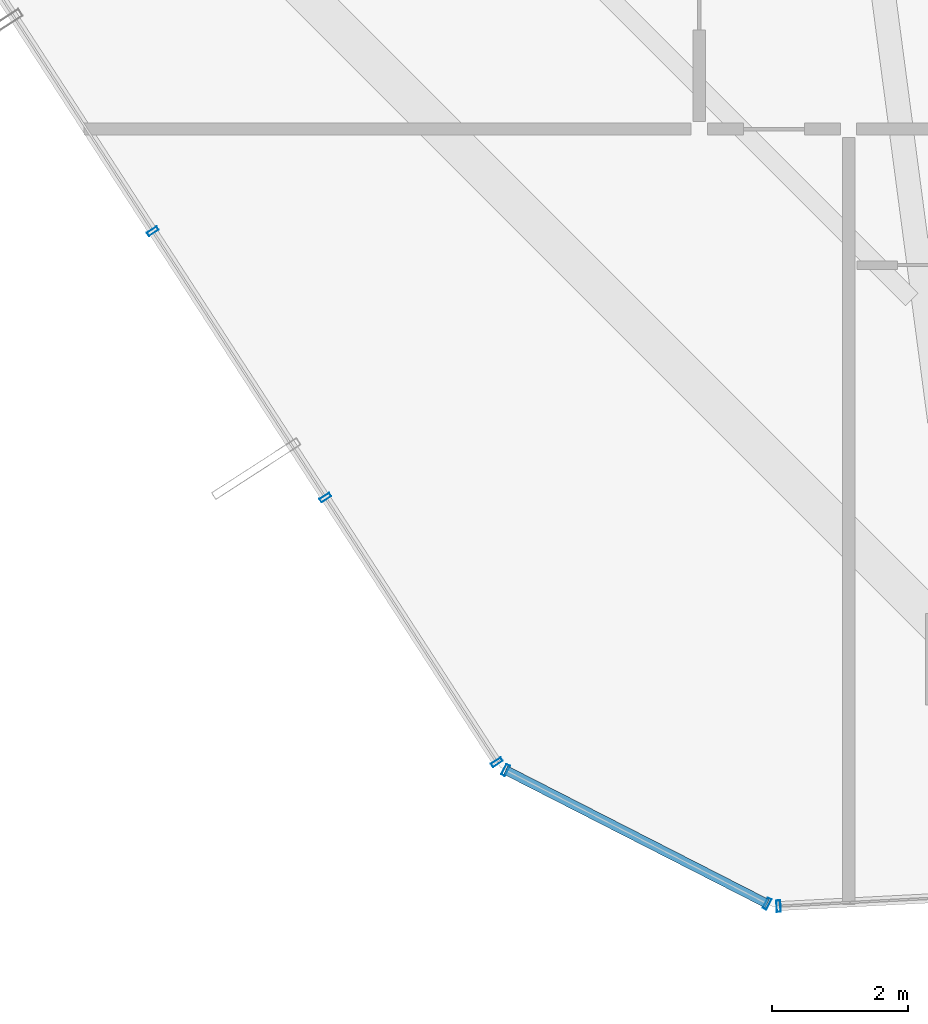
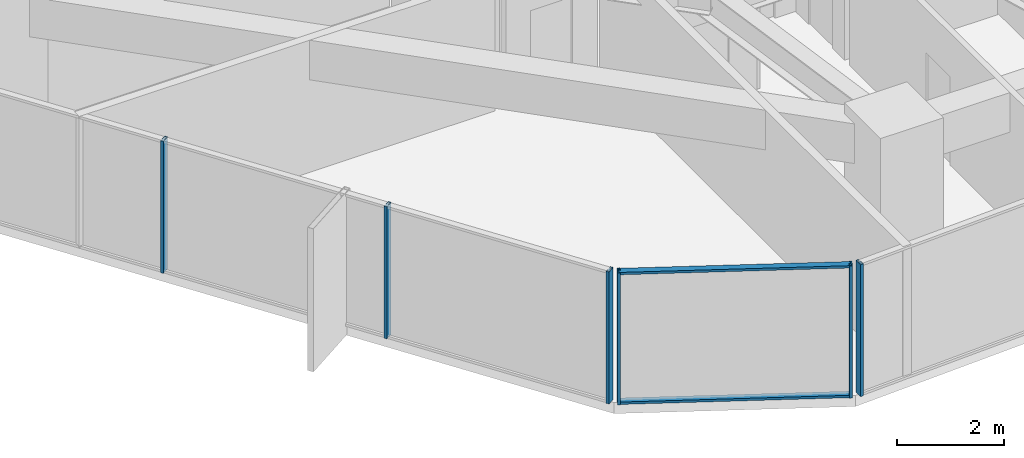
# One storey, part 2 of 37: 8 members, 3 elements without a shape of their own.
"""IFC4 building model written with IfcOpenShell, lengths in metres."""

import ifcopenshell
import ifcopenshell.guid

model = None  # the IFC model being written
_history = None  # IfcOwnerHistory: only IFC2X3 demands one
_inside = {}  # id of a spatial element -> (the spatial element, [elements in it])
_under = {}  # id of a project, library or spatial element -> (it, [spatial elements below it])
_declared = {}  # id of a project -> (the project, [libraries it declares])
_typed = {}  # id of a type object -> (the type object, [elements of that type])
_made_of = {}  # id of a material, layer set ... -> (it, [elements and type objects made of it])


def new_model(schema):
    """Start an empty IFC model of exactly this schema.

    Asked for "IFC4X3", IfcOpenShell would pick the latest addendum, in which some entities
    have other attributes; the version numbers below select the first issue.
    IFC2X3 requires an IfcOwnerHistory on every rooted entity: one is made here for all.
    """
    global model, _history
    if schema == "IFC4X3":
        model = ifcopenshell.file(schema_version=(4, 3, 0, 0))
    else:
        model = ifcopenshell.file(schema=schema)
    _inside.clear()
    _under.clear()
    _declared.clear()
    _typed.clear()
    _made_of.clear()
    _history = None
    if model.schema == "IFC2X3":
        org = make("IfcOrganization", Name="unknown")
        user = make(
            "IfcPersonAndOrganization",
            ThePerson=make("IfcPerson", FamilyName="unknown"),
            TheOrganization=org,
        )
        app = make(
            "IfcApplication",
            ApplicationDeveloper=org,
            Version="unknown",
            ApplicationFullName="unknown",
            ApplicationIdentifier="unknown",
        )
        _history = make(
            "IfcOwnerHistory",
            OwningUser=user,
            OwningApplication=app,
            ChangeAction="ADDED",
            CreationDate=0,
        )
    return model


def make(cls, **values):
    """One entity of the class cls with the attributes given. An attribute that is None is left unset."""
    return model.create_entity(
        cls, **{name: value for name, value in values.items() if value is not None}
    )


def rooted(cls, **values):
    """An entity with a GlobalId (a new one), such as an element, a storey or a relation."""
    return make(cls, GlobalId=ifcopenshell.guid.new(), OwnerHistory=_history, **values)


def si_unit(unit_type, name, prefix=None):
    """IfcSIUnit, for example si_unit("LENGTHUNIT", "METRE", prefix="MILLI")."""
    return make("IfcSIUnit", UnitType=unit_type, Prefix=prefix, Name=name)


def assignment(units):
    """IfcUnitAssignment: the units of a project."""
    return None if units is None else make("IfcUnitAssignment", Units=units)


def point(xyz):
    """IfcCartesianPoint."""
    return None if xyz is None else make("IfcCartesianPoint", Coordinates=xyz)


def direction(xyz):
    """IfcDirection."""
    return None if xyz is None else make("IfcDirection", DirectionRatios=xyz)


def frame(location, z_axis=None, x_axis=None):
    """IfcAxis2Placement3D, a coordinate frame: its origin and axes. An axis left out is left unset."""
    return make(
        "IfcAxis2Placement3D",
        Location=point(location),
        Axis=direction(z_axis),
        RefDirection=direction(x_axis),
    )


def frame_2d(location, x_axis=None):
    """IfcAxis2Placement2D, a coordinate frame in the plane: its origin and x axis."""
    return make(
        "IfcAxis2Placement2D", Location=point(location), RefDirection=direction(x_axis)
    )


def origin():
    """The frame at (0, 0, 0) with its axes left unset."""
    return frame((0.0, 0.0, 0.0))


def origin_2d():
    """The frame at (0, 0) in the plane with its x axis left unset."""
    return frame_2d((0.0, 0.0))


def place(relative_to, where):
    """IfcLocalPlacement: puts the frame where relative to a parent placement (None: the world)."""
    return make(
        "IfcLocalPlacement", PlacementRelTo=relative_to, RelativePlacement=where
    )


def context(
    kind, dimensions, precision=None, world=None, true_north=None, identifier=None
):
    """IfcGeometricRepresentationContext, for example the 3D "Model" context."""
    return make(
        "IfcGeometricRepresentationContext",
        ContextIdentifier=identifier,
        ContextType=kind,
        CoordinateSpaceDimension=dimensions,
        Precision=precision,
        WorldCoordinateSystem=world,
        TrueNorth=true_north,
    )


def subcontext(parent, identifier, kind, view, scale=None):
    """IfcGeometricRepresentationSubContext, for example "Body" below "Model"."""
    return make(
        "IfcGeometricRepresentationSubContext",
        ContextIdentifier=identifier,
        ContextType=kind,
        ParentContext=parent,
        TargetScale=scale,
        TargetView=view,
    )


def project(units=None, contexts=None):
    """IfcProject with its units and contexts."""
    return rooted(
        "IfcProject",
        Name="project",
        RepresentationContexts=contexts,
        UnitsInContext=assignment(units),
    )


def spatial(cls, under=None, at=None, **own):
    """A site, building, storey or space (cls), placed at a placement, below another one or the project."""
    s = rooted(cls, ObjectPlacement=at, **own)
    if under is not None:
        _under.setdefault(under.id(), (under, []))[1].append(s)
    return s


def profile(cls, at=None, kind="AREA", **sizes):
    """A parametric profile (cls). Its sizes go by their IFC names, for example OverallWidth=200.0."""
    return make(cls, ProfileType=kind, Position=at, **sizes)


def hollow_rectangle(**sizes):
    """IfcRectangleHollowProfileDef."""
    return profile("IfcRectangleHollowProfileDef", **sizes)


def extrude(swept, where, along, depth):
    """IfcExtrudedAreaSolid: the profile swept, set in the frame where, extruded along a direction by depth."""
    return make(
        "IfcExtrudedAreaSolid",
        SweptArea=swept,
        Position=where,
        ExtrudedDirection=direction(along),
        Depth=depth,
    )


def shape(context_of_items, identifier, shape_type, items):
    """IfcShapeRepresentation: the items that make up one representation, for example the "Body"."""
    return make(
        "IfcShapeRepresentation",
        ContextOfItems=context_of_items,
        RepresentationIdentifier=identifier,
        RepresentationType=shape_type,
        Items=items,
    )


def source(mapping_origin, context_of_items, identifier, shape_type, items):
    """IfcRepresentationMap: a shape defined once, which mapped items show again and again."""
    return make(
        "IfcRepresentationMap",
        MappingOrigin=mapping_origin,
        MappedRepresentation=shape(context_of_items, identifier, shape_type, items),
    )


def transform(
    local_origin,
    x_axis=None,
    y_axis=None,
    z_axis=None,
    scale=None,
    scale2=None,
    scale3=None,
    uniform=True,
):
    """IfcCartesianTransformationOperator3D, or its non-uniform kind. x_axis, y_axis, z_axis: its Axis1, 2, 3."""
    if uniform:
        return make(
            "IfcCartesianTransformationOperator3D",
            Axis1=direction(x_axis),
            Axis2=direction(y_axis),
            LocalOrigin=point(local_origin),
            Scale=scale,
            Axis3=direction(z_axis),
        )
    return make(
        "IfcCartesianTransformationOperator3DnonUniform",
        Axis1=direction(x_axis),
        Axis2=direction(y_axis),
        LocalOrigin=point(local_origin),
        Scale=scale,
        Axis3=direction(z_axis),
        Scale2=scale2,
        Scale3=scale3,
    )


def mapped(mapping_source, mapping_target):
    """IfcMappedItem: shows the shape of a source again, moved by a transform."""
    return make(
        "IfcMappedItem", MappingSource=mapping_source, MappingTarget=mapping_target
    )


def material(Name=None, Category=None):
    """IfcMaterial."""
    return make("IfcMaterial", Name=Name, Category=Category)


def layer(
    of_material, thickness, ventilated=None, Name=None, Category=None, Priority=None
):
    """IfcMaterialLayer: one layer of a wall or slab, of a material (None: an air gap)."""
    return make(
        "IfcMaterialLayer",
        Material=of_material,
        LayerThickness=thickness,
        IsVentilated=ventilated,
        Name=Name,
        Category=Category,
        Priority=Priority,
    )


def layer_set(layers, Name=None):
    """IfcMaterialLayerSet."""
    return make("IfcMaterialLayerSet", MaterialLayers=layers, LayerSetName=Name)


def material_profile(
    of_material, cross_section, Name=None, Category=None, Priority=None
):
    """IfcMaterialProfile: a cross section and its material."""
    return make(
        "IfcMaterialProfile",
        Name=Name,
        Material=of_material,
        Profile=cross_section,
        Priority=Priority,
        Category=Category,
    )


def profile_set(profiles, Name=None, composite=None):
    """IfcMaterialProfileSet."""
    return make(
        "IfcMaterialProfileSet",
        Name=Name,
        MaterialProfiles=profiles,
        CompositeProfile=composite,
    )


def made_of(thing, what):
    """Note that an element or type object is made of a material, layer set ...; save() writes the relation."""
    if what is not None:
        _made_of.setdefault(what.id(), (what, []))[1].append(thing)
    return thing


def type_object(cls, material=None, **own):
    """A type object (cls), such as IfcWallType, which elements share."""
    return made_of(rooted(cls, **own), material)


def element(
    cls,
    number,
    at=None,
    inside=None,
    cuts=None,
    type_object=None,
    material=None,
    context=None,
    identifier="Body",
    shape_type=None,
    held_by="IfcProductDefinitionShape",
    body=None,
    shapes=None,
    **own,
):
    """One element of the class cls, such as IfcWall. Its Tag is "e" and its number.

    at: its placement. inside: the storey or other place that contains it. cuts: it is an
    opening in that element (IfcRelVoidsElement). A single representation is given by context,
    identifier, shape_type and body (its items); several are given by shapes. held_by: the class
    of the entity that holds the representations. save() writes the other relations.
    """
    e = rooted(cls, Tag="e%d" % number, ObjectPlacement=at, **own)
    if body is not None:
        shapes = [shape(context, identifier, shape_type, body)]
    if shapes is not None:
        e.Representation = make(held_by, Representations=shapes)
    if inside is not None:
        _inside.setdefault(inside.id(), (inside, []))[1].append(e)
    if cuts is not None:
        rooted(
            "IfcRelVoidsElement", RelatingBuildingElement=cuts, RelatedOpeningElement=e
        )
    if type_object is not None:
        _typed.setdefault(type_object.id(), (type_object, []))[1].append(e)
    return made_of(e, material)


def aggregate(whole, parts):
    """IfcRelAggregates: a whole, such as a stair, and the parts it consists of."""
    return rooted("IfcRelAggregates", RelatingObject=whole, RelatedObjects=parts)


def save(model, path):
    """Write the relations noted so far, then the file.

    IfcRelAggregates (storeys below a building ...), IfcRelContainedInSpatialStructure (elements
    in a storey), IfcRelDefinesByType, IfcRelAssociatesMaterial and IfcRelDeclares: one each for
    every whole, place, type object, material and project.
    """
    for whole, parts in _under.values():
        aggregate(whole, parts)
    for where, things in _inside.values():
        rooted(
            "IfcRelContainedInSpatialStructure",
            RelatedElements=things,
            RelatingStructure=where,
        )
    for kind, things in _typed.values():
        rooted("IfcRelDefinesByType", RelatedObjects=things, RelatingType=kind)
    for what, things in _made_of.values():
        rooted("IfcRelAssociatesMaterial", RelatedObjects=things, RelatingMaterial=what)
    for by, libraries in _declared.values():
        rooted("IfcRelDeclares", RelatingContext=by, RelatedDefinitions=libraries)
    model.write(path)


model = new_model("IFC4")

# Units and contexts
model_context = context("Model", 3, precision=1e-05, world=origin(), true_north=direction((0.0, 1.0)))
body_context = subcontext(model_context, "Body", "Model", "MODEL_VIEW")
ifc_project = project(units=[si_unit("LENGTHUNIT", "METRE"), si_unit("AREAUNIT", "SQUARE_METRE"), si_unit("VOLUMEUNIT", "CUBIC_METRE"), si_unit("PLANEANGLEUNIT", "RADIAN"), si_unit("MASSUNIT", "GRAM", prefix="KILO")], contexts=[model_context])

# Site, building, storey
site_placement = place(None, origin())
site = spatial("IfcSite", under=ifc_project, at=site_placement, CompositionType="ELEMENT")
building_placement = place(site_placement, origin())
building = spatial("IfcBuilding", under=site, at=building_placement, Name="Veraguas Prism Commons", CompositionType="ELEMENT")
storey_placement = place(building_placement, frame((0.0, 0.0, 33.800048828125)))
storey = spatial("IfcBuildingStorey", under=building, at=storey_placement, Name="L08", CompositionType="ELEMENT", Elevation=33.800048828125)

# Curtain wall, members
ifc_material = material(Name="Anodised aluminium EN AW-6063 T6", Category="aluminium")
ifc_layer = layer(ifc_material, 0.169921875, Name="Unitised Flush Curtain Wall Zone 1", Category="aluminium")
ifc_layer_set = layer_set([ifc_layer], Name="Anodised aluminium EN AW-6063 T6")
curtain_wall_type = type_object("IfcCurtainWallType", Name="Unitised Flush Curtain Wall Zone 1", PredefinedType="NOTDEFINED", material=ifc_layer_set)
curtain_wall_1_placement = place(storey_placement, origin())
curtain_wall_1 = element("IfcCurtainWall", 1, at=curtain_wall_1_placement, inside=storey, type_object=curtain_wall_type, Name="Tower Facade Curtain Wall L08-F4", PredefinedType="NOTDEFINED")
ifc_material_profile_1 = material_profile(ifc_material, hollow_rectangle(XDim=0.06005859375, YDim=0.169921875, WallThickness=0.00390625, at=origin_2d()), Name="AL60X170X4")
ifc_profile_set_1 = profile_set([ifc_material_profile_1], Name="Anodised aluminium EN AW-6063 T6")
member_type_1 = type_object("IfcMemberType", Name="Curtain Wall Mullion Lower AL 60x170x4", PredefinedType="MULLION", material=ifc_profile_set_1)
shared_shape_1 = source(origin(), body_context, "Body", "SweptSolid", [
    extrude(hollow_rectangle(XDim=0.06005859375, YDim=0.169921875, WallThickness=0.00390625, at=origin_2d()), origin(), (0.0, 0.0, 1.0), 3.0),
])
member_1_placement = place(storey_placement, frame((6.556640625, 12.6982421875, 0.0), z_axis=(0.0, 0.0, 1.0), x_axis=(0.543766341769, -0.839236656468, 0.0)))
member_1 = element("IfcMember", 2, at=member_1_placement, type_object=member_type_1, Name="CW-Z1 Mullion 3", PredefinedType="MULLION", context=body_context, shape_type="MappedRepresentation", body=[
    mapped(shared_shape_1, transform((0.0, 0.0, 0.0), scale=1.0)),
])
member_2_placement = place(storey_placement, frame((9.0966796875, 8.778076171875, 0.0), z_axis=(0.0, 0.0, 1.0), x_axis=(0.543766341769, -0.839236656468, 0.0)))
member_2 = element("IfcMember", 3, at=member_2_placement, type_object=member_type_1, Name="CW-Z1 Mullion 4", PredefinedType="MULLION", context=body_context, shape_type="MappedRepresentation", body=[
    mapped(shared_shape_1, transform((0.0, 0.0, 0.0), scale=1.0)),
])
member_3_placement = place(storey_placement, frame((11.6201171875, 4.88330078125, 0.0), z_axis=(0.0, 0.0, 1.0), x_axis=(0.543766341769, -0.839236656468, 0.0)))
member_3 = element("IfcMember", 4, at=member_3_placement, type_object=member_type_1, Name="CW-Z1 Mullion 5", PredefinedType="MULLION", context=body_context, shape_type="MappedRepresentation", body=[
    mapped(shared_shape_1, transform((0.0, 0.0, 0.0), scale=1.0)),
])
aggregate(curtain_wall_1, [member_1, member_2, member_3])

# Curtain wall, member
curtain_wall_2_placement = place(storey_placement, origin())
curtain_wall_2 = element("IfcCurtainWall", 5, at=curtain_wall_2_placement, inside=storey, type_object=curtain_wall_type, Name="Tower Facade Curtain Wall L08-F5", PredefinedType="NOTDEFINED")
member_4_placement = place(storey_placement, frame((15.766357421875, 2.76513671875, 0.0), z_axis=(0.0, 0.0, 1.0), x_axis=(0.99868379327, 0.051290165334, 0.0)))
member_4 = element("IfcMember", 6, at=member_4_placement, type_object=member_type_1, Name="CW-Z1 Mullion 1", PredefinedType="MULLION", context=body_context, shape_type="MappedRepresentation", body=[
    mapped(shared_shape_1, transform((0.0, 0.0, 0.0), scale=1.0)),
])
aggregate(curtain_wall_2, [member_4])

# Curtain wall, members
curtain_wall_3_placement = place(storey_placement, origin())
curtain_wall_3 = element("IfcCurtainWall", 7, at=curtain_wall_3_placement, inside=storey, type_object=curtain_wall_type, Name="Chamfer Curtain Wall L08-C5", PredefinedType="NOTDEFINED")
member_5_placement = place(storey_placement, frame((11.749267578125, 4.766845703125, 0.0), z_axis=(0.0, 0.0, 1.0), x_axis=(0.890530617987, -0.454923310491, 0.0)))
member_5 = element("IfcMember", 8, at=member_5_placement, type_object=member_type_1, Name="CW-Z1 Mullion 1", PredefinedType="MULLION", context=body_context, shape_type="MappedRepresentation", body=[
    mapped(shared_shape_1, transform((0.0, 0.0, 0.0), scale=1.0)),
])
member_6_placement = place(storey_placement, frame((15.596435546875, 2.801513671875, 0.0), z_axis=(0.0, 0.0, 1.0), x_axis=(0.890530617987, -0.454923310491, 0.0)))
member_6 = element("IfcMember", 9, at=member_6_placement, type_object=member_type_1, Name="CW-Z1 Mullion 2", PredefinedType="MULLION", context=body_context, shape_type="MappedRepresentation", body=[
    mapped(shared_shape_1, transform((0.0, 0.0, 0.0), scale=1.0)),
])
ifc_material_profile_2 = material_profile(ifc_material, hollow_rectangle(XDim=0.054931640625, YDim=0.135009765625, WallThickness=0.0029296875, at=origin_2d()), Name="AL55X135X3")
ifc_profile_set_2 = profile_set([ifc_material_profile_2], Name="Anodised aluminium EN AW-6063 T6")
member_type_2 = type_object("IfcMemberType", Name="Curtain Wall Transom Standard AL 55x135x3", PredefinedType="USERDEFINED", material=ifc_profile_set_2)
shared_shape_2 = source(origin(), body_context, "Body", "SweptSolid", [
    extrude(hollow_rectangle(XDim=0.054931640625, YDim=0.135009765625, WallThickness=0.0029296875, at=origin_2d()), origin(), (0.0, 0.0, 1.0), 4.320068359375),
])
member_7_placement = place(storey_placement, frame((11.749267578125, 4.766845703125, 0.02734375), z_axis=(0.890528305502, -0.454927837244, 0.0), x_axis=(0.0, 0.0, 1.0)))
member_7 = element("IfcMember", 10, at=member_7_placement, type_object=member_type_2, Name="CW-Z1 Transom 1", ObjectType="TRANSOM", PredefinedType="USERDEFINED", context=body_context, shape_type="MappedRepresentation", body=[
    mapped(shared_shape_2, transform((0.0, 0.0, 0.0), scale=1.0)),
])
member_8_placement = place(storey_placement, frame((11.749267578125, 4.766845703125, 2.972412109375), z_axis=(0.890528305502, -0.454927837244, 0.0), x_axis=(0.0, 0.0, 1.0)))
member_8 = element("IfcMember", 11, at=member_8_placement, type_object=member_type_2, Name="CW-Z1 Transom 2", ObjectType="TRANSOM", PredefinedType="USERDEFINED", context=body_context, shape_type="MappedRepresentation", body=[
    mapped(shared_shape_2, transform((0.0, 0.0, 0.0), scale=1.0)),
])
aggregate(curtain_wall_3, [member_5, member_6, member_7, member_8])

save(model, "model.ifc")
